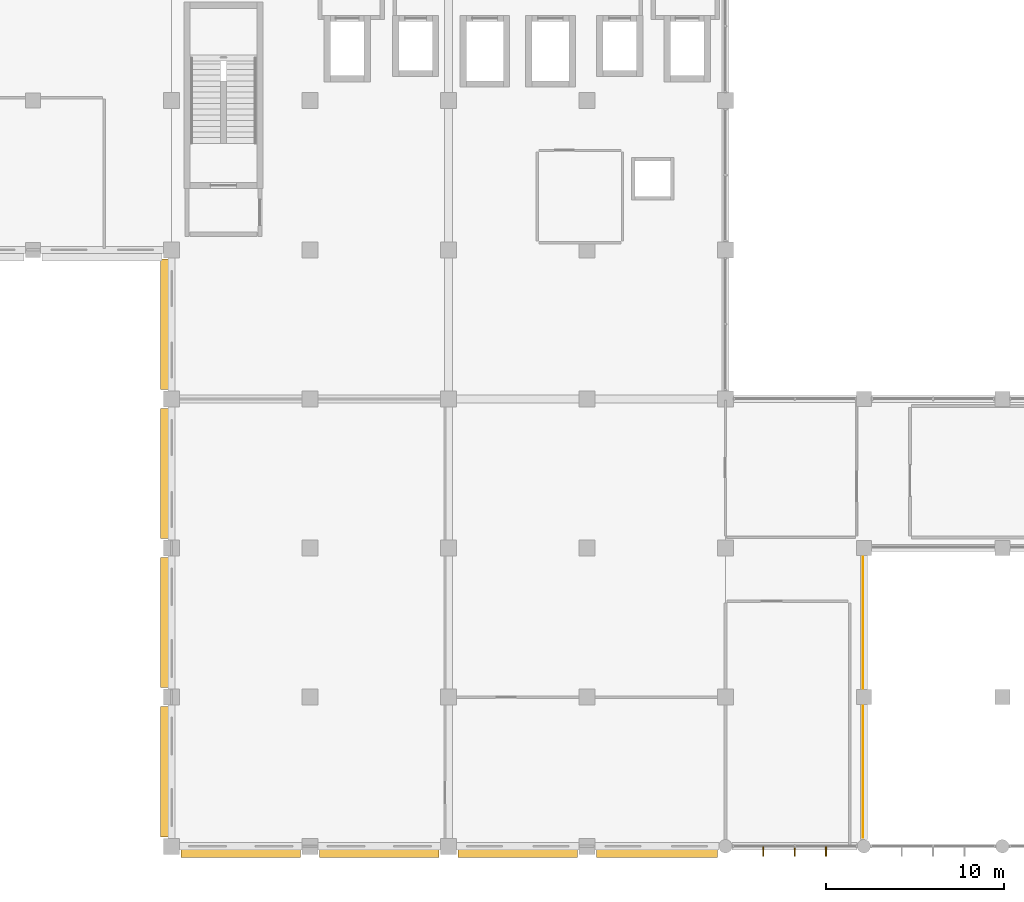
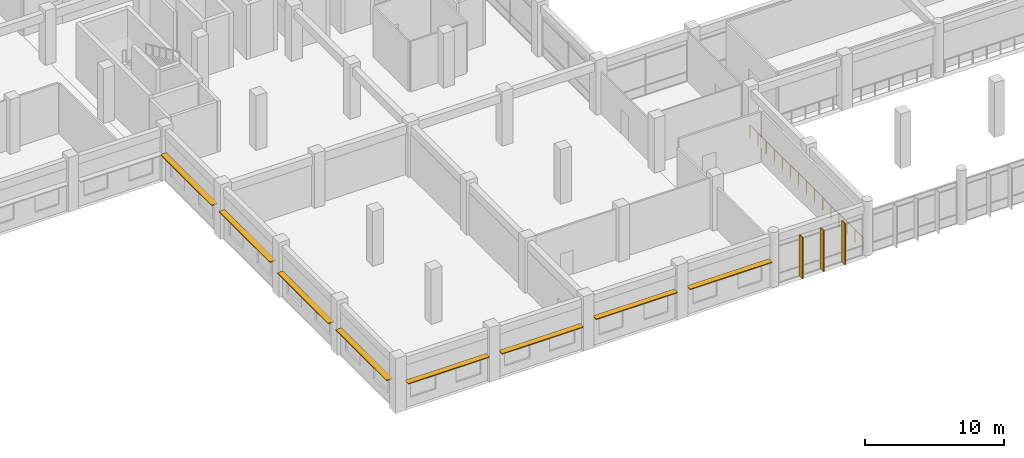
# One storey, part 67 of 79: 11 shading devices, 1 railing.
"""IFC4 building model written with IfcOpenShell, lengths in metres."""

from ifc_helpers import new_model, si_unit, direction, frame, origin, origin_2d, place, context, subcontext, project, spatial, rectangle, circle, extrude, material, layer, layer_set, type_object, element, save


model = new_model("IFC4")

# Units and contexts
model_context = context("Model", 3, precision=1e-05, world=origin(), true_north=direction((0.0, 1.0)))
body_context = subcontext(model_context, "Body", "Model", "MODEL_VIEW")
ifc_project = project(units=[si_unit("LENGTHUNIT", "METRE"), si_unit("AREAUNIT", "SQUARE_METRE"), si_unit("VOLUMEUNIT", "CUBIC_METRE"), si_unit("PLANEANGLEUNIT", "RADIAN"), si_unit("MASSUNIT", "GRAM", prefix="KILO"), si_unit("THERMODYNAMICTEMPERATUREUNIT", "KELVIN"), si_unit("POWERUNIT", "WATT")], contexts=[model_context])

# Site, building, storey
site_placement = place(None, origin())
site = spatial("IfcSite", under=ifc_project, at=site_placement, CompositionType="ELEMENT")
building_placement = place(site_placement, origin())
building = spatial("IfcBuilding", under=site, at=building_placement, Name="Srebrne Nadtorze General Hospital", CompositionType="ELEMENT")
storey_placement = place(building_placement, frame((0.0, 0.0, 4.800048828125)))
storey = spatial("IfcBuildingStorey", under=building, at=storey_placement, Name="L01", CompositionType="ELEMENT", Elevation=4.800048828125)

# Shading devices
ifc_material_1 = material(Name="Anodised Aluminium", Category="aluminium")
ifc_layer_1 = layer(ifc_material_1, 0.080078125)
ifc_layer_set_1 = layer_set([ifc_layer_1], Name="Anodised Aluminium")
shading_device_type_1 = type_object("IfcShadingDeviceType", Name="Hisashi horizontal aluminium sunshade", PredefinedType="JALOUSIE", material=ifc_layer_set_1)
for number, where, z_axis, x_axis, name in (
    (1, (27.300048828125, -0.3798828125, 2.31982421875), (0.0, 0.0, 1.0), (1.0, 0.0, 0.0), "Hisashi horizontal sunshade eave LV-050"),
    (2, (35.10009765625, -0.3798828125, 2.219970703125), (0.0, 0.0, 1.0), (1.0, 0.0, 0.0), "Hisashi horizontal sunshade eave LV-051"),
    (3, (42.89990234375, -0.3798828125, 2.52001953125), (0.0, 0.0, 1.0), (1.0, 0.0, 0.0), "Hisashi horizontal sunshade eave LV-052"),
):
    element("IfcShadingDevice", number, at=place(storey_placement, frame(where, z_axis=z_axis, x_axis=x_axis)), inside=storey, type_object=shading_device_type_1, Name=name, PredefinedType="JALOUSIE", context=body_context, shape_type="SweptSolid", body=[
        extrude(rectangle(XDim=6.739990234375, YDim=0.47998046875, at=origin_2d()), origin(), (0.0, 0.0, 1.0), 0.080078125),
    ])
shading_device_placement = place(storey_placement, frame((50.737548828125, -0.3798828125, 2.419921875), z_axis=(0.0, 0.0, 1.0), x_axis=(1.0, 0.0, 0.0)))
element("IfcShadingDevice", 4, at=shading_device_placement, inside=storey, type_object=shading_device_type_1, Name="Hisashi horizontal sunshade eave LV-053", PredefinedType="JALOUSIE", context=body_context, shape_type="SweptSolid", body=[
    extrude(rectangle(XDim=6.81494140625, YDim=0.47998046875, at=origin_2d()), origin(), (0.0, 0.0, 1.0), 0.080078125),
])
for number, where, z_axis, x_axis, name in (
    (5, (23.02001953125, 4.199951171875, 2.31982421875), (0.0, 0.0, 1.0), (1.0, 0.0, 0.0), "Hisashi horizontal sunshade eave LV-100"),
    (6, (23.02001953125, 12.60009765625, 2.219970703125), (0.0, 0.0, 1.0), (1.0, 0.0, 0.0), "Hisashi horizontal sunshade eave LV-101"),
    (7, (23.02001953125, 21.0, 2.52001953125), (0.0, 0.0, 1.0), (1.0, 0.0, 0.0), "Hisashi horizontal sunshade eave LV-102"),
    (8, (23.02001953125, 29.39990234375, 2.419921875), (0.0, 0.0, 1.0), (1.0, 0.0, 0.0), "Hisashi horizontal sunshade eave LV-103"),
):
    element("IfcShadingDevice", number, at=place(storey_placement, frame(where, z_axis=z_axis, x_axis=x_axis)), inside=storey, type_object=shading_device_type_1, Name=name, PredefinedType="JALOUSIE", context=body_context, shape_type="SweptSolid", body=[
        extrude(rectangle(XDim=0.47998046875, YDim=7.340087890625, at=origin_2d()), origin(), (0.0, 0.0, 1.0), 0.080078125),
    ])
ifc_material_2 = material(Name="Anodised Aluminium", Category="aluminium")
ifc_layer_2 = layer(ifc_material_2, 0.070068359375)
ifc_layer_set_2 = layer_set([ifc_layer_2], Name="Anodised Aluminium")
shading_device_type_2 = type_object("IfcShadingDeviceType", Name="Koushi vertical brise-soleil fin", PredefinedType="SHUTTER", material=ifc_layer_set_2)
for number, where, z_axis, x_axis, name in (
    (9, (56.737548828125, -0.300048828125, 0.06005859375), (0.0, 0.0, 1.0), (1.0, 0.0, 0.0), "Koushi vertical brise-soleil fin LV-054"),
    (10, (58.5, -0.300048828125, 0.06005859375), (0.0, 0.0, 1.0), (1.0, 0.0, 0.0), "Koushi vertical brise-soleil fin LV-055"),
    (11, (60.262451171875, -0.300048828125, 0.06005859375), (0.0, 0.0, 1.0), (1.0, 0.0, 0.0), "Koushi vertical brise-soleil fin LV-056"),
):
    element("IfcShadingDevice", number, at=place(storey_placement, frame(where, z_axis=z_axis, x_axis=x_axis)), inside=storey, type_object=shading_device_type_2, Name=name, PredefinedType="SHUTTER", context=body_context, shape_type="SweptSolid", body=[
        extrude(rectangle(XDim=0.070068359375, YDim=0.52001953125, at=origin_2d()), origin(), (0.0, 0.0, 1.0), 3.6298828125),
    ])

# Railing
ifc_material_3 = material(Name="Stainless Steel 316", Category="steel")
railing_type = type_object("IfcRailingType", Name="Perimeter safety guard 1120", PredefinedType="BALUSTRADE", material=ifc_material_3)
railing_placement = place(storey_placement, frame((62.35009765625, 0.5, 0.0)))
element("IfcRailing", 12, at=railing_placement, inside=storey, type_object=railing_type, Name="Atrium gallery guard W GR-L01-006", PredefinedType="BALUSTRADE", context=body_context, shape_type="SweptSolid", body=[
    extrude(circle(Radius=0.02392578125, at=origin_2d()), frame((0.0, 0.0, 1.09619140625), z_axis=(0.0, 1.0, 0.0), x_axis=(-1.0, 0.0, 0.0)), (0.0, 0.0, 1.0), 16.27001953125),
    extrude(circle(Radius=0.02099609375, at=origin_2d()), origin(), (0.0, 0.0, 1.0), 1.072021484375),
    extrude(circle(Radius=0.02099609375, at=origin_2d()), frame((0.0, 1.162109375, 0.0)), (0.0, 0.0, 1.0), 1.072021484375),
    extrude(circle(Radius=0.02099609375, at=origin_2d()), frame((0.0, 2.32421875, 0.0)), (0.0, 0.0, 1.0), 1.072021484375),
    extrude(circle(Radius=0.02099609375, at=origin_2d()), frame((0.0, 3.486328125, 0.0)), (0.0, 0.0, 1.0), 1.072021484375),
    extrude(circle(Radius=0.02099609375, at=origin_2d()), frame((0.0, 4.648681640625, 0.0)), (0.0, 0.0, 1.0), 1.072021484375),
    extrude(circle(Radius=0.02099609375, at=origin_2d()), frame((0.0, 5.810791015625, 0.0)), (0.0, 0.0, 1.0), 1.072021484375),
    extrude(circle(Radius=0.02099609375, at=origin_2d()), frame((0.0, 6.972900390625, 0.0)), (0.0, 0.0, 1.0), 1.072021484375),
    extrude(circle(Radius=0.02099609375, at=origin_2d()), frame((0.0, 8.135009765625, 0.0)), (0.0, 0.0, 1.0), 1.072021484375),
    extrude(circle(Radius=0.02099609375, at=origin_2d()), frame((0.0, 9.297119140625, 0.0)), (0.0, 0.0, 1.0), 1.072021484375),
    extrude(circle(Radius=0.02099609375, at=origin_2d()), frame((0.0, 10.459228515625, 0.0)), (0.0, 0.0, 1.0), 1.072021484375),
    extrude(circle(Radius=0.02099609375, at=origin_2d()), frame((0.0, 11.621337890625, 0.0)), (0.0, 0.0, 1.0), 1.072021484375),
    extrude(circle(Radius=0.02099609375, at=origin_2d()), frame((0.0, 12.78369140625, 0.0)), (0.0, 0.0, 1.0), 1.072021484375),
    extrude(circle(Radius=0.02099609375, at=origin_2d()), frame((0.0, 13.94580078125, 0.0)), (0.0, 0.0, 1.0), 1.072021484375),
    extrude(circle(Radius=0.02099609375, at=origin_2d()), frame((0.0, 15.10791015625, 0.0)), (0.0, 0.0, 1.0), 1.072021484375),
    extrude(circle(Radius=0.02099609375, at=origin_2d()), frame((0.0, 16.27001953125, 0.0)), (0.0, 0.0, 1.0), 1.072021484375),
])

save(model, "model.ifc")
